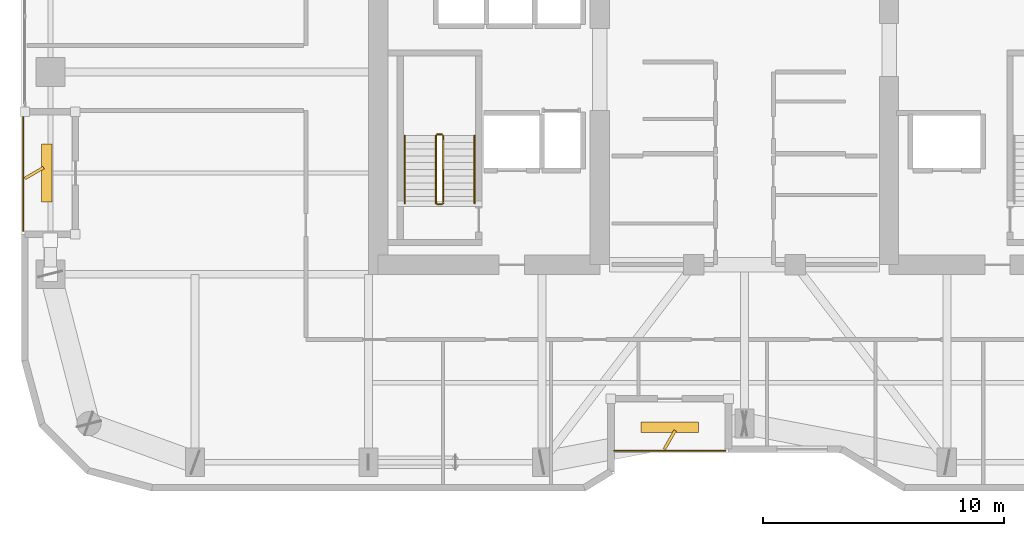
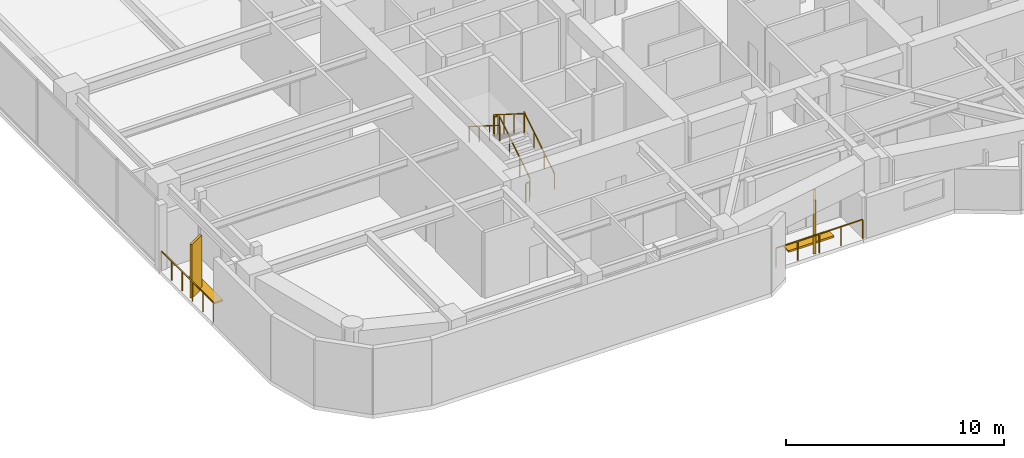
# One storey, part 28 of 30: 8 railings, 4 shading devices.
"""IFC4 building model written with IfcOpenShell, lengths in metres."""

from ifc_helpers import new_model, si_unit, direction, frame, origin, origin_2d, place, context, subcontext, project, spatial, rectangle, extrude, material, type_object, element, save


model = new_model("IFC4")

# Units and contexts
model_context = context("Model", 3, precision=1e-05, world=origin(), true_north=direction((0.0, 1.0)))
body_context = subcontext(model_context, "Body", "Model", "MODEL_VIEW")
ifc_project = project(units=[si_unit("LENGTHUNIT", "METRE"), si_unit("AREAUNIT", "SQUARE_METRE"), si_unit("VOLUMEUNIT", "CUBIC_METRE"), si_unit("PLANEANGLEUNIT", "RADIAN"), si_unit("MASSUNIT", "GRAM", prefix="KILO")], contexts=[model_context])

# Site, building, storey
site_placement = place(None, origin())
site = spatial("IfcSite", under=ifc_project, at=site_placement, CompositionType="ELEMENT")
building_placement = place(site_placement, origin())
building = spatial("IfcBuilding", under=site, at=building_placement, Name="Kiyonajd Concourse Tower", CompositionType="ELEMENT")
storey_placement = place(building_placement, frame((0.0, 0.0, 162.300048828125)))
storey = spatial("IfcBuildingStorey", under=building, at=storey_placement, Name="L41", CompositionType="ELEMENT", Elevation=162.300048828125)

# Railings
ifc_material_1 = material(Name="Thermally Broken Anodised Aluminium", Category="aluminium")
railing_type_1 = type_object("IfcRailingType", Name="RL-GRD-LOG", PredefinedType="GUARDRAIL", material=ifc_material_1)
railing_1_placement = place(storey_placement, frame((42.60009765625, 20.280029296875, 0.0)))
element("IfcRailing", 1, at=railing_1_placement, inside=storey, type_object=railing_type_1, Name="L41 Engawa Loggia Perimeter Guard LOG-S", PredefinedType="GUARDRAIL", context=body_context, shape_type="SweptSolid", body=[
    extrude(rectangle(XDim=0.048095703125, YDim=0.048095703125, at=origin_2d()), frame((0.0, 0.0, 1.076171875), z_axis=(1.0, 0.0, 0.0), x_axis=(0.0, 1.0, 0.0)), (0.0, 0.0, 1.0), 4.599853515625),
    extrude(rectangle(XDim=0.0419921875, YDim=0.0419921875, at=origin_2d()), origin(), (0.0, 0.0, 1.0), 1.052001953125),
    extrude(rectangle(XDim=0.0419921875, YDim=0.0419921875, at=origin_2d()), frame((1.14990234375, 0.0, 0.0)), (0.0, 0.0, 1.0), 1.052001953125),
    extrude(rectangle(XDim=0.0419921875, YDim=0.0419921875, at=origin_2d()), frame((2.2998046875, 0.0, 0.0)), (0.0, 0.0, 1.0), 1.052001953125),
    extrude(rectangle(XDim=0.0419921875, YDim=0.0419921875, at=origin_2d()), frame((3.449951171875, 0.0, 0.0)), (0.0, 0.0, 1.0), 1.052001953125),
    extrude(rectangle(XDim=0.0419921875, YDim=0.0419921875, at=origin_2d()), frame((4.599853515625, 0.0, 0.0)), (0.0, 0.0, 1.0), 1.052001953125),
])
railing_2_placement = place(storey_placement, frame((18.080078125, 34.199951171875, 0.0)))
element("IfcRailing", 2, at=railing_2_placement, inside=storey, type_object=railing_type_1, Name="L41 Engawa Loggia Perimeter Guard LOG-W", PredefinedType="GUARDRAIL", context=body_context, shape_type="SweptSolid", body=[
    extrude(rectangle(XDim=0.048095703125, YDim=0.048095703125, at=origin_2d()), frame((0.0, 0.0, 1.076171875), z_axis=(0.0, -1.0, 0.0), x_axis=(1.0, 0.0, 0.0)), (0.0, 0.0, 1.0), 4.800048828125),
    extrude(rectangle(XDim=0.0419921875, YDim=0.0419921875, at=origin_2d()), origin(), (0.0, 0.0, 1.0), 1.052001953125),
    extrude(rectangle(XDim=0.0419921875, YDim=0.0419921875, at=origin_2d()), frame((0.0, -0.9599609375, 0.0)), (0.0, 0.0, 1.0), 1.052001953125),
    extrude(rectangle(XDim=0.0419921875, YDim=0.0419921875, at=origin_2d()), frame((0.0, -1.919921875, 0.0)), (0.0, 0.0, 1.0), 1.052001953125),
    extrude(rectangle(XDim=0.0419921875, YDim=0.0419921875, at=origin_2d()), frame((0.0, -2.880126953125, 0.0)), (0.0, 0.0, 1.0), 1.052001953125),
    extrude(rectangle(XDim=0.0419921875, YDim=0.0419921875, at=origin_2d()), frame((0.0, -3.840087890625, 0.0)), (0.0, 0.0, 1.0), 1.052001953125),
    extrude(rectangle(XDim=0.0419921875, YDim=0.0419921875, at=origin_2d()), frame((0.0, -4.800048828125, 0.0)), (0.0, 0.0, 1.0), 1.052001953125),
])
ifc_material_2 = material(Name="Steel ASTM A500 Grade C", Category="steel")
railing_type_2 = type_object("IfcRailingType", Name="RL-GRD-STR", PredefinedType="GUARDRAIL", material=ifc_material_2)
railing_3_placement = place(storey_placement, frame((35.5, 30.550048828125, 0.17724609375)))
element("IfcRailing", 3, at=railing_3_placement, inside=storey, type_object=railing_type_2, Name="L41 ST1 stair guard 1", PredefinedType="GUARDRAIL", context=body_context, shape_type="SweptSolid", body=[
    extrude(rectangle(XDim=0.048095703125, YDim=0.048095703125, at=origin_2d()), frame((0.0, 0.0, 1.076171875), z_axis=(0.0, 0.844908973607, 0.534910110503), x_axis=(-1.0, 0.0, 0.0)), (0.0, 0.0, 1.0), 3.31396484375),
    extrude(rectangle(XDim=0.0419921875, YDim=0.0419921875, at=origin_2d()), origin(), (0.0, 0.0, 1.0), 1.052001953125),
    extrude(rectangle(XDim=0.0419921875, YDim=0.0419921875, at=origin_2d()), frame((0.0, 0.933349609375, 0.5908203125)), (0.0, 0.0, 1.0), 1.052001953125),
    extrude(rectangle(XDim=0.0419921875, YDim=0.0419921875, at=origin_2d()), frame((0.0, 1.86669921875, 1.181884765625)), (0.0, 0.0, 1.0), 1.052001953125),
    extrude(rectangle(XDim=0.0419921875, YDim=0.0419921875, at=origin_2d()), frame((0.0, 2.800048828125, 1.772705078125)), (0.0, 0.0, 1.0), 1.052001953125),
])
railing_4_placement = place(storey_placement, frame((35.449951171875, 33.39990234375, 1.949951171875)))
element("IfcRailing", 4, at=railing_4_placement, inside=storey, type_object=railing_type_2, Name="L41 ST1 stair guard 2", PredefinedType="GUARDRAIL", context=body_context, shape_type="SweptSolid", body=[
    extrude(rectangle(XDim=0.048095703125, YDim=0.048095703125, at=origin_2d()), frame((0.0, 0.0, 1.076171875), z_axis=(-1.0, 0.0, 0.0), x_axis=(0.0, -1.0, 0.0)), (0.0, 0.0, 1.0), 0.199951171875),
    extrude(rectangle(XDim=0.0419921875, YDim=0.0419921875, at=origin_2d()), origin(), (0.0, 0.0, 1.0), 1.052001953125),
    extrude(rectangle(XDim=0.0419921875, YDim=0.0419921875, at=origin_2d()), frame((-0.199951171875, 0.0, 0.0)), (0.0, 0.0, 1.0), 1.052001953125),
])
railing_5_placement = place(storey_placement, frame((35.199951171875, 33.35009765625, 2.127197265625)))
element("IfcRailing", 5, at=railing_5_placement, inside=storey, type_object=railing_type_2, Name="L41 ST1 stair guard 3", PredefinedType="GUARDRAIL", context=body_context, shape_type="SweptSolid", body=[
    extrude(rectangle(XDim=0.048095703125, YDim=0.048095703125, at=origin_2d()), frame((0.0, 0.0, 1.076171875), z_axis=(0.0, -0.844908973607, 0.534910110503), x_axis=(1.0, 0.0, 0.0)), (0.0, 0.0, 1.0), 3.31396484375),
    extrude(rectangle(XDim=0.0419921875, YDim=0.0419921875, at=origin_2d()), origin(), (0.0, 0.0, 1.0), 1.052001953125),
    extrude(rectangle(XDim=0.0419921875, YDim=0.0419921875, at=origin_2d()), frame((0.0, -0.933349609375, 0.5908203125)), (0.0, 0.0, 1.0), 1.052001953125),
    extrude(rectangle(XDim=0.0419921875, YDim=0.0419921875, at=origin_2d()), frame((0.0, -1.86669921875, 1.181884765625)), (0.0, 0.0, 1.0), 1.052001953125),
    extrude(rectangle(XDim=0.0419921875, YDim=0.0419921875, at=origin_2d()), frame((0.0, -2.800048828125, 1.772705078125)), (0.0, 0.0, 1.0), 1.052001953125),
])
railing_6_placement = place(storey_placement, frame((35.449951171875, 30.5, 0.0)))
element("IfcRailing", 6, at=railing_6_placement, inside=storey, type_object=railing_type_2, Name="L41 ST1 stair guard 4", PredefinedType="GUARDRAIL", context=body_context, shape_type="SweptSolid", body=[
    extrude(rectangle(XDim=0.048095703125, YDim=0.048095703125, at=origin_2d()), frame((0.0, 0.0, 1.076171875), z_axis=(-1.0, 0.0, 0.0), x_axis=(0.0, -1.0, 0.0)), (0.0, 0.0, 1.0), 0.199951171875),
    extrude(rectangle(XDim=0.0419921875, YDim=0.0419921875, at=origin_2d()), origin(), (0.0, 0.0, 1.0), 1.052001953125),
    extrude(rectangle(XDim=0.0419921875, YDim=0.0419921875, at=origin_2d()), frame((-0.199951171875, 0.0, 0.0)), (0.0, 0.0, 1.0), 1.052001953125),
])
ifc_material_3 = material(Name="Brushed Stainless Steel Cab Assembly", Category="steel")
railing_type_3 = type_object("IfcRailingType", Name="RL-HND-900", PredefinedType="HANDRAIL", material=ifc_material_3)
railing_7_placement = place(storey_placement, frame((36.800048828125, 30.550048828125, 0.17724609375)))
element("IfcRailing", 7, at=railing_7_placement, inside=storey, type_object=railing_type_3, Name="L41 ST1 stair handrail 1", PredefinedType="HANDRAIL", context=body_context, shape_type="SweptSolid", body=[
    extrude(rectangle(XDim=0.048095703125, YDim=0.048095703125, at=origin_2d()), frame((0.0, 0.0, 0.8759765625), z_axis=(0.0, 0.844908973607, 0.534910110503), x_axis=(-1.0, 0.0, 0.0)), (0.0, 0.0, 1.0), 3.31396484375),
    extrude(rectangle(XDim=0.0419921875, YDim=0.0419921875, at=origin_2d()), origin(), (0.0, 0.0, 1.0), 0.851806640625),
    extrude(rectangle(XDim=0.0419921875, YDim=0.0419921875, at=origin_2d()), frame((0.0, 0.933349609375, 0.5908203125)), (0.0, 0.0, 1.0), 0.851806640625),
    extrude(rectangle(XDim=0.0419921875, YDim=0.0419921875, at=origin_2d()), frame((0.0, 1.86669921875, 1.181884765625)), (0.0, 0.0, 1.0), 0.851806640625),
    extrude(rectangle(XDim=0.0419921875, YDim=0.0419921875, at=origin_2d()), frame((0.0, 2.800048828125, 1.772705078125)), (0.0, 0.0, 1.0), 0.851806640625),
])
railing_8_placement = place(storey_placement, frame((33.89990234375, 33.35009765625, 2.127197265625)))
element("IfcRailing", 8, at=railing_8_placement, inside=storey, type_object=railing_type_3, Name="L41 ST1 stair handrail 2", PredefinedType="HANDRAIL", context=body_context, shape_type="SweptSolid", body=[
    extrude(rectangle(XDim=0.048095703125, YDim=0.048095703125, at=origin_2d()), frame((0.0, 0.0, 0.8759765625), z_axis=(0.0, -0.844908973607, 0.534910110503), x_axis=(1.0, 0.0, 0.0)), (0.0, 0.0, 1.0), 3.31396484375),
    extrude(rectangle(XDim=0.0419921875, YDim=0.0419921875, at=origin_2d()), origin(), (0.0, 0.0, 1.0), 0.851806640625),
    extrude(rectangle(XDim=0.0419921875, YDim=0.0419921875, at=origin_2d()), frame((0.0, -0.933349609375, 0.5908203125)), (0.0, 0.0, 1.0), 0.851806640625),
    extrude(rectangle(XDim=0.0419921875, YDim=0.0419921875, at=origin_2d()), frame((0.0, -1.86669921875, 1.181884765625)), (0.0, 0.0, 1.0), 0.851806640625),
    extrude(rectangle(XDim=0.0419921875, YDim=0.0419921875, at=origin_2d()), frame((0.0, -2.800048828125, 1.772705078125)), (0.0, 0.0, 1.0), 0.851806640625),
])

# Shading devices
ifc_material_4 = material(Name="Precast concrete C50/60", Category="concrete")
shading_device_type_1 = type_object("IfcShadingDeviceType", Name="SH-FIN-900", PredefinedType="USERDEFINED", material=ifc_material_4)
for number, where, z_axis, x_axis, name in (
    (9, (44.89990234375, 20.72998046875, 0.0), (0.0, 0.0, 1.0), (0.5, 0.866025403784, 0.0), "L41 Angled Koshi Solar Fin LOG-S"),
    (10, (18.530029296875, 31.800048828125, 0.0), (0.0, 0.0, 1.0), (0.866025403784, 0.5, 0.0), "L41 Angled Koshi Solar Fin LOG-W"),
):
    element("IfcShadingDevice", number, at=place(storey_placement, frame(where, z_axis=z_axis, x_axis=x_axis)), inside=storey, type_object=shading_device_type_1, Name=name, ObjectType="FIN", PredefinedType="USERDEFINED", context=body_context, shape_type="SweptSolid", body=[
        extrude(rectangle(XDim=0.89990234375, YDim=0.1201171875, at=origin_2d()), origin(), (0.0, 0.0, 1.0), 3.0),
    ])
shading_device_type_2 = type_object("IfcShadingDeviceType", Name="SH-LVR-600", PredefinedType="JALOUSIE", material=ifc_material_1)
for number, where, z_axis, x_axis, name in (
    (11, (44.89990234375, 21.25, 0.0), (0.0, 0.0, 1.0), (1.0, 0.0, 0.0), "L41 Loggia Threshold Louver LOG-S"),
    (12, (19.050048828125, 31.800048828125, 0.0), (0.0, 0.0, 1.0), (0.0, 1.0, 0.0), "L41 Loggia Threshold Louver LOG-W"),
):
    element("IfcShadingDevice", number, at=place(storey_placement, frame(where, z_axis=z_axis, x_axis=x_axis)), inside=storey, type_object=shading_device_type_2, Name=name, PredefinedType="JALOUSIE", context=body_context, shape_type="SweptSolid", body=[
        extrude(rectangle(XDim=2.39990234375, YDim=0.449951171875, at=origin_2d()), origin(), (0.0, 0.0, 1.0), 0.10009765625),
    ])

save(model, "model.ifc")
